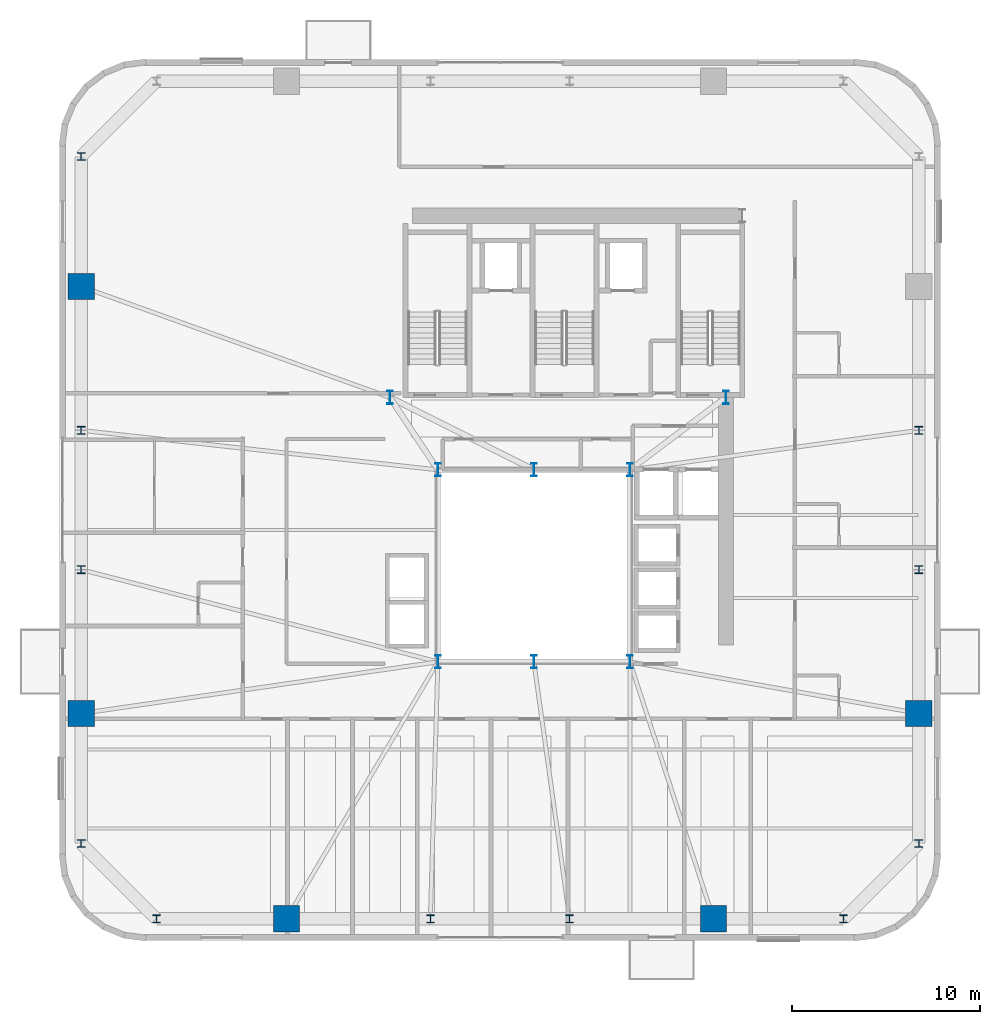
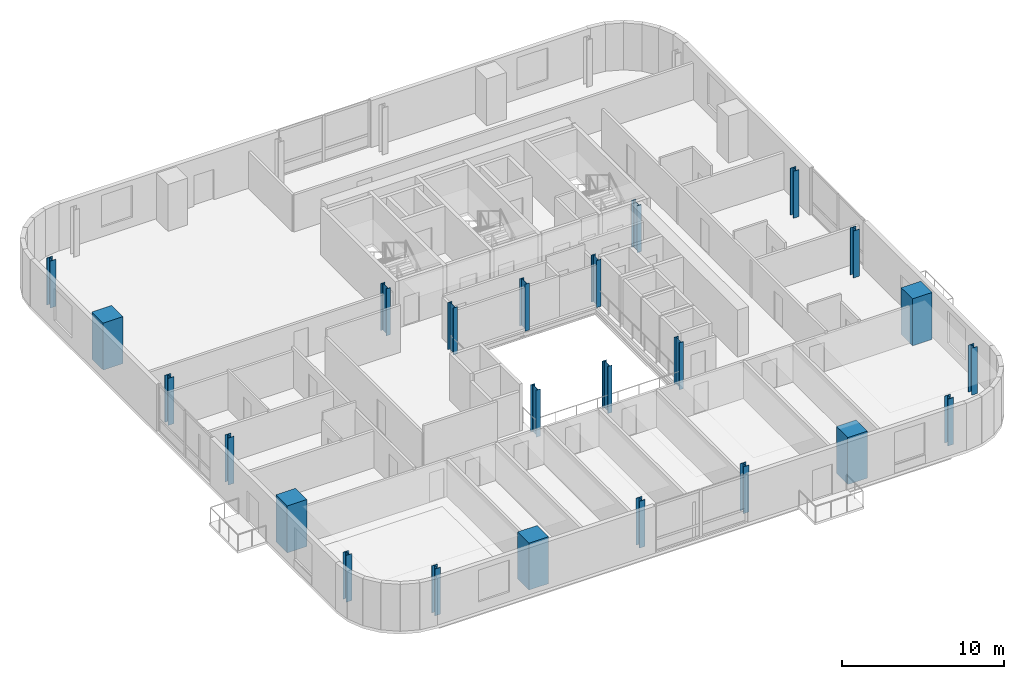
# One storey, part 1 of 16: 24 columns.
"""IFC4 building model written with IfcOpenShell, lengths in metres."""

from ifc_helpers import new_model, si_unit, direction, frame, origin, origin_2d, place, context, subcontext, project, spatial, rectangle, i_section, extrude, source, transform, mapped, material, material_profile, profile_set, type_object, element, save


model = new_model("IFC4")

# Units and contexts
model_context = context("Model", 3, precision=1e-05, world=origin(), true_north=direction((0.0, 1.0)))
body_context = subcontext(model_context, "Body", "Model", "MODEL_VIEW")
ifc_project = project(units=[si_unit("LENGTHUNIT", "METRE"), si_unit("AREAUNIT", "SQUARE_METRE"), si_unit("VOLUMEUNIT", "CUBIC_METRE"), si_unit("PLANEANGLEUNIT", "RADIAN"), si_unit("MASSUNIT", "GRAM", prefix="KILO")], contexts=[model_context])

# Site, building, storey
site_placement = place(None, origin())
site = spatial("IfcSite", under=ifc_project, at=site_placement, CompositionType="ELEMENT")
building_placement = place(site_placement, origin())
building = spatial("IfcBuilding", under=site, at=building_placement, Name="Vardaveli Station Tower", CompositionType="ELEMENT")
storey_placement = place(building_placement, frame((0.0, 0.0, 222.300048828125)))
storey = spatial("IfcBuildingStorey", under=building, at=storey_placement, Name="L57", CompositionType="ELEMENT", Elevation=222.300048828125)

# Columns
ifc_material_1 = material(Name="Structural steel S460M", Category="steel")
ifc_material_profile_1 = material_profile(ifc_material_1, i_section(OverallWidth=0.300048828125, OverallDepth=0.699951171875, WebThickness=0.01708984375, FlangeThickness=0.031982421875, FilletRadius=0.027099609375, at=origin_2d()), Name="HEB 700")
ifc_profile_set_1 = profile_set([ifc_material_profile_1], Name="Structural steel S460M")
column_type_1 = type_object("IfcColumnType", Name="COL-HEB700", PredefinedType="COLUMN", material=ifc_profile_set_1)
shared_shape_1 = source(origin(), body_context, "Body", "SweptSolid", [
    extrude(i_section(OverallWidth=0.300048828125, OverallDepth=0.699951171875, WebThickness=0.01708984375, FlangeThickness=0.031982421875, FilletRadius=0.027099609375, at=origin_2d()), origin(), (0.0, 0.0, 1.0), 3.530029296875),
])
for number, where, z_axis, x_axis, name in (
    (1, (31.199951171875, 16.60009765625, 0.0), (0.0, 0.0, 1.0), (1.0, 0.0, 0.0), "COL-L57-AC1"),
    (2, (36.300048828125, 16.60009765625, 0.0), (0.0, 0.0, 1.0), (1.0, 0.0, 0.0), "COL-L57-AC2"),
    (3, (41.39990234375, 16.60009765625, 0.0), (0.0, 0.0, 1.0), (1.0, 0.0, 0.0), "COL-L57-AC3"),
    (4, (41.39990234375, 26.800048828125, 0.0), (0.0, 0.0, 1.0), (1.0, 0.0, 0.0), "COL-L57-AC4"),
    (5, (36.300048828125, 26.800048828125, 0.0), (0.0, 0.0, 1.0), (1.0, 0.0, 0.0), "COL-L57-AC5"),
    (6, (31.199951171875, 26.800048828125, 0.0), (0.0, 0.0, 1.0), (1.0, 0.0, 0.0), "COL-L57-AC6"),
    (7, (28.64990234375, 30.64990234375, 0.0), (0.0, 0.0, 1.0), (1.0, 0.0, 0.0), "COL-L57-CC1"),
    (8, (46.5, 30.64990234375, 0.0), (0.0, 0.0, 1.0), (1.0, 0.0, 0.0), "COL-L57-CC2"),
):
    element("IfcColumn", number, at=place(storey_placement, frame(where, z_axis=z_axis, x_axis=x_axis)), inside=storey, type_object=column_type_1, Name=name, PredefinedType="COLUMN", context=body_context, shape_type="MappedRepresentation", body=[
        mapped(shared_shape_1, transform((0.0, 0.0, 0.0), scale=1.0)),
    ])
ifc_material_2 = material(Name="Concrete C50/60", Category="concrete")
ifc_material_profile_2 = material_profile(ifc_material_2, rectangle(XDim=1.39990234375, YDim=1.39990234375, at=origin_2d()), Name="MC 1400x1400")
ifc_profile_set_2 = profile_set([ifc_material_profile_2], Name="Concrete C50/60")
column_type_2 = type_object("IfcColumnType", Name="COL-MC-1400", PredefinedType="COLUMN", material=ifc_profile_set_2)
shared_shape_2 = source(origin(), body_context, "Body", "SweptSolid", [
    extrude(rectangle(XDim=1.39990234375, YDim=1.39990234375, at=origin_2d()), origin(), (0.0, 0.0, 1.0), 3.530029296875),
])
for number, where, z_axis, x_axis, name in (
    (9, (23.159912109375, 2.949951171875, 0.0), (0.0, 0.0, 1.0), (1.0, 0.0, 0.0), "COL-L57-MC1"),
    (10, (45.840087890625, 2.949951171875, 0.0), (0.0, 0.0, 1.0), (1.0, 0.0, 0.0), "COL-L57-MC2"),
    (11, (56.75, 13.860107421875, 0.0), (0.0, 0.0, 1.0), (1.0, 0.0, 0.0), "COL-L57-MC3"),
    (12, (12.25, 36.5400390625, 0.0), (0.0, 0.0, 1.0), (1.0, 0.0, 0.0), "COL-L57-MC7"),
    (13, (12.25, 13.860107421875, 0.0), (0.0, 0.0, 1.0), (1.0, 0.0, 0.0), "COL-L57-MC8"),
):
    element("IfcColumn", number, at=place(storey_placement, frame(where, z_axis=z_axis, x_axis=x_axis)), inside=storey, type_object=column_type_2, Name=name, PredefinedType="COLUMN", context=body_context, shape_type="MappedRepresentation", body=[
        mapped(shared_shape_2, transform((0.0, 0.0, 0.0), scale=1.0)),
    ])
ifc_material_profile_3 = material_profile(ifc_material_1, i_section(OverallWidth=0.408935546875, OverallDepth=0.4169921875, WebThickness=0.021240234375, FlangeThickness=0.033203125, FilletRadius=0.014892578125, at=origin_2d()), Name="HD 400x347")
ifc_profile_set_3 = profile_set([ifc_material_profile_3], Name="Structural steel S460M")
column_type_3 = type_object("IfcColumnType", Name="COL-HD347", PredefinedType="COLUMN", material=ifc_profile_set_3)
shared_shape_3 = source(origin(), body_context, "Body", "SweptSolid", [
    extrude(i_section(OverallWidth=0.408935546875, OverallDepth=0.4169921875, WebThickness=0.021240234375, FlangeThickness=0.033203125, FilletRadius=0.014892578125, at=origin_2d()), origin(), (0.0, 0.0, 1.0), 3.530029296875),
])
for number, where, z_axis, x_axis, name in (
    (14, (16.25, 2.949951171875, 0.0), (0.0, 0.0, 1.0), (1.0, 0.0, 0.0), "COL-L57-PC01"),
    (15, (30.800048828125, 2.949951171875, 0.0), (0.0, 0.0, 1.0), (1.0, 0.0, 0.0), "COL-L57-PC02"),
    (16, (38.199951171875, 2.949951171875, 0.0), (0.0, 0.0, 1.0), (1.0, 0.0, 0.0), "COL-L57-PC03"),
    (17, (52.75, 2.949951171875, 0.0), (0.0, 0.0, 1.0), (1.0, 0.0, 0.0), "COL-L57-PC04"),
    (18, (56.75, 6.949951171875, 0.0), (0.0, 0.0, 1.0), (1.0, 0.0, 0.0), "COL-L57-PC05"),
    (19, (56.75, 21.5, 0.0), (0.0, 0.0, 1.0), (1.0, 0.0, 0.0), "COL-L57-PC06"),
    (20, (56.75, 28.89990234375, 0.0), (0.0, 0.0, 1.0), (1.0, 0.0, 0.0), "COL-L57-PC07"),
    (21, (12.25, 43.449951171875, 0.0), (0.0, 0.0, 1.0), (1.0, 0.0, 0.0), "COL-L57-PC13"),
    (22, (12.25, 28.89990234375, 0.0), (0.0, 0.0, 1.0), (1.0, 0.0, 0.0), "COL-L57-PC14"),
    (23, (12.25, 21.5, 0.0), (0.0, 0.0, 1.0), (1.0, 0.0, 0.0), "COL-L57-PC15"),
    (24, (12.25, 6.949951171875, 0.0), (0.0, 0.0, 1.0), (1.0, 0.0, 0.0), "COL-L57-PC16"),
):
    element("IfcColumn", number, at=place(storey_placement, frame(where, z_axis=z_axis, x_axis=x_axis)), inside=storey, type_object=column_type_3, Name=name, PredefinedType="COLUMN", context=body_context, shape_type="MappedRepresentation", body=[
        mapped(shared_shape_3, transform((0.0, 0.0, 0.0), scale=1.0)),
    ])

save(model, "model.ifc")
